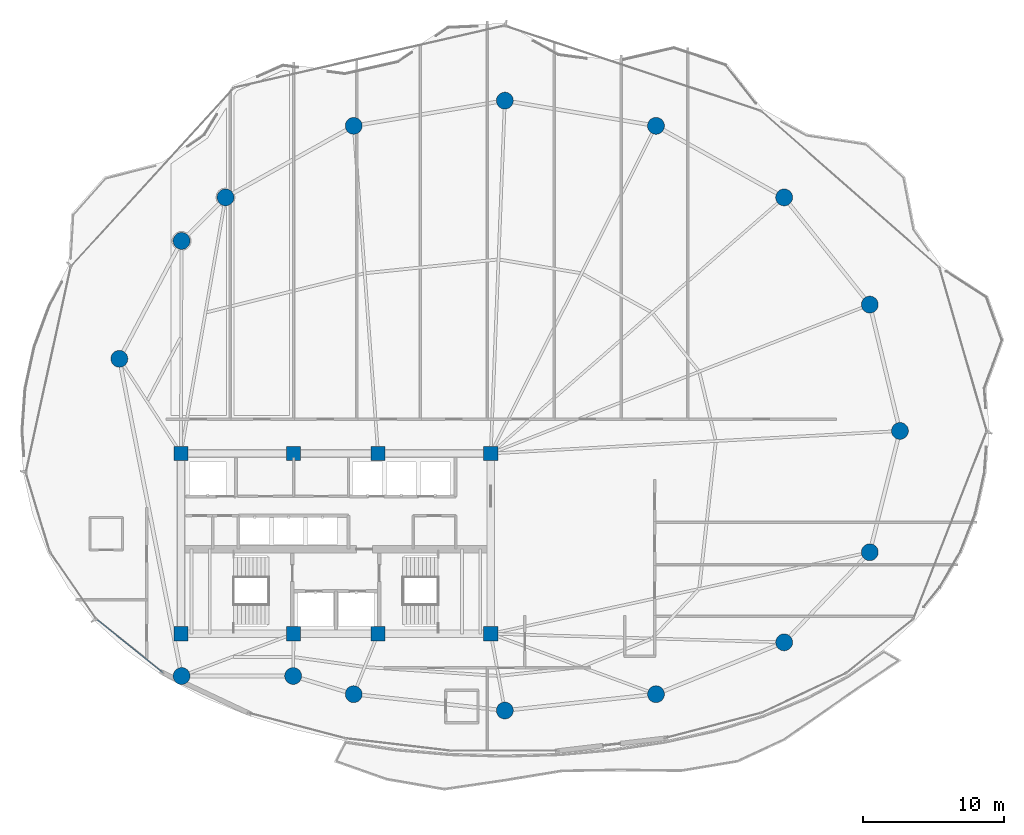
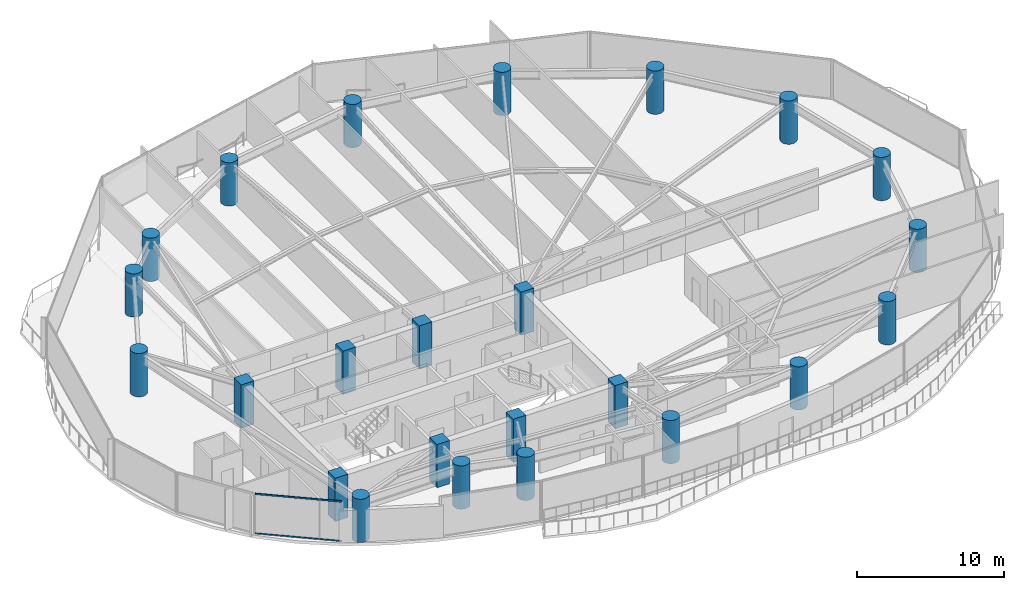
# One storey, part 1 of 34: 24 columns, 2 members, 1 element without a shape of its own.
"""IFC4 building model written with IfcOpenShell, lengths in metres."""

from ifc_helpers import new_model, si_unit, direction, frame, origin, origin_2d, place, context, subcontext, project, spatial, rectangle, hollow_rectangle, circle, extrude, material, layer, layer_set, material_profile, profile_set, type_object, element, aggregate, save


model = new_model("IFC4")

# Units and contexts
model_context = context("Model", 3, precision=1e-05, world=origin(), true_north=direction((0.0, 1.0)))
body_context = subcontext(model_context, "Body", "Model", "MODEL_VIEW")
ifc_project = project(units=[si_unit("LENGTHUNIT", "METRE"), si_unit("AREAUNIT", "SQUARE_METRE"), si_unit("VOLUMEUNIT", "CUBIC_METRE"), si_unit("PLANEANGLEUNIT", "RADIAN"), si_unit("MASSUNIT", "GRAM", prefix="KILO")], contexts=[model_context])

# Site, building, storey
site_placement = place(None, origin())
site = spatial("IfcSite", under=ifc_project, at=site_placement, CompositionType="ELEMENT")
building_placement = place(site_placement, origin())
building = spatial("IfcBuilding", under=site, at=building_placement, Name="Kazevale Care Tower and Concert Hall", CompositionType="ELEMENT")
storey_placement = place(building_placement, frame((0.0, 0.0, 171.0)))
storey = spatial("IfcBuildingStorey", under=building, at=storey_placement, Name="L45", CompositionType="ELEMENT", Elevation=171.0)

# Columns
ifc_material_1 = material(Name="Concrete C60", Category="concrete")
ifc_material_profile_1 = material_profile(ifc_material_1, rectangle(XDim=1.0, YDim=1.0, at=origin_2d()), Name="RC-SQ1000")
ifc_profile_set_1 = profile_set([ifc_material_profile_1], Name="Concrete C60")
column_type_1 = type_object("IfcColumnType", Name="Core Column SQ1000 C60", PredefinedType="COLUMN", material=ifc_profile_set_1)
for number, where, z_axis, x_axis, name in (
    (1, (22.0, 23.60009765625, 0.0), (0.0, 0.0, 1.0), (1.0, 0.0, 0.0), "col:L45:CC-01"),
    (2, (30.0, 23.60009765625, 0.0), (0.0, 0.0, 1.0), (1.0, 0.0, 0.0), "col:L45:CC-02"),
    (3, (36.0, 23.60009765625, 0.0), (0.0, 0.0, 1.0), (1.0, 0.0, 0.0), "col:L45:CC-03"),
    (4, (44.0, 23.60009765625, 0.0), (0.0, 0.0, 1.0), (1.0, 0.0, 0.0), "col:L45:CC-04"),
    (5, (44.0, 36.39990234375, 0.0), (0.0, 0.0, 1.0), (1.0, 0.0, 0.0), "col:L45:CC-05"),
    (6, (36.0, 36.39990234375, 0.0), (0.0, 0.0, 1.0), (1.0, 0.0, 0.0), "col:L45:CC-06"),
    (7, (30.0, 36.39990234375, 0.0), (0.0, 0.0, 1.0), (1.0, 0.0, 0.0), "col:L45:CC-07"),
    (8, (22.0, 36.39990234375, 0.0), (0.0, 0.0, 1.0), (1.0, 0.0, 0.0), "col:L45:CC-08"),
):
    element("IfcColumn", number, at=place(storey_placement, frame(where, z_axis=z_axis, x_axis=x_axis)), inside=storey, type_object=column_type_1, Name=name, PredefinedType="COLUMN", context=body_context, shape_type="SweptSolid", body=[
        extrude(rectangle(XDim=1.0, YDim=1.0, at=origin_2d()), origin(), (0.0, 0.0, 1.0), 3.60009765625),
    ])
ifc_material_profile_2 = material_profile(ifc_material_1, circle(Radius=0.60009765625, at=origin_2d()), Name="RC-CIR1200")
ifc_profile_set_2 = profile_set([ifc_material_profile_2], Name="Concrete C60")
column_type_2 = type_object("IfcColumnType", Name="Perimeter Column CIR1200 C60", PredefinedType="COLUMN", material=ifc_profile_set_2)
for number, where, z_axis, x_axis, name in (
    (9, (73.050048828125, 38.0, 0.0), (0.0, 0.0, 1.0), (1.0, 0.0, 0.0), "col:L45:PC-01"),
    (10, (70.909912109375, 46.969970703125, 0.0), (0.0, 0.0, 1.0), (1.0, 0.0, 0.0), "col:L45:PC-02"),
    (11, (64.830078125, 54.580078125, 0.0), (0.0, 0.0, 1.0), (1.0, 0.0, 0.0), "col:L45:PC-03"),
    (12, (55.72998046875, 59.659912109375, 0.0), (0.0, 0.0, 1.0), (1.0, 0.0, 0.0), "col:L45:PC-04"),
    (13, (45.0, 61.449951171875, 0.0), (0.0, 0.0, 1.0), (1.0, 0.0, 0.0), "col:L45:PC-05"),
    (14, (34.27001953125, 59.659912109375, 0.0), (0.0, 0.0, 1.0), (1.0, 0.0, 0.0), "col:L45:PC-06"),
    (15, (25.169921875, 54.580078125, 0.0), (0.0, 0.0, 1.0), (1.0, 0.0, 0.0), "col:L45:PC-07"),
    (16, (22.050048828125, 51.489990234375, 0.0), (0.0, 0.0, 1.0), (1.0, 0.0, 0.0), "col:L45:PC-08"),
    (17, (17.6298828125, 43.1201171875, 0.0), (0.0, 0.0, 1.0), (1.0, 0.0, 0.0), "col:L45:PC-09"),
    (18, (22.050048828125, 20.60009765625, 0.0), (0.0, 0.0, 1.0), (1.0, 0.0, 0.0), "col:L45:PC-10"),
    (19, (29.969970703125, 20.60009765625, 0.0), (0.0, 0.0, 1.0), (1.0, 0.0, 0.0), "col:L45:PC-11"),
    (20, (34.27001953125, 19.31005859375, 0.0), (0.0, 0.0, 1.0), (1.0, 0.0, 0.0), "col:L45:PC-12"),
    (21, (45.0, 18.14990234375, 0.0), (0.0, 0.0, 1.0), (1.0, 0.0, 0.0), "col:L45:PC-13"),
    (22, (55.72998046875, 19.31005859375, 0.0), (0.0, 0.0, 1.0), (1.0, 0.0, 0.0), "col:L45:PC-14"),
    (23, (64.830078125, 22.989990234375, 0.0), (0.0, 0.0, 1.0), (1.0, 0.0, 0.0), "col:L45:PC-15"),
    (24, (70.909912109375, 29.389892578125, 0.0), (0.0, 0.0, 1.0), (1.0, 0.0, 0.0), "col:L45:PC-16"),
):
    element("IfcColumn", number, at=place(storey_placement, frame(where, z_axis=z_axis, x_axis=x_axis)), inside=storey, type_object=column_type_2, Name=name, PredefinedType="COLUMN", context=body_context, shape_type="SweptSolid", body=[
        extrude(circle(Radius=0.60009765625, at=origin_2d()), origin(), (0.0, 0.0, 1.0), 3.60009765625),
    ])

# Curtain wall, members
ifc_material_2 = material(Name="Aluminium 6063-T6 and Low-E Glass", Category="aluminium")
ifc_layer = layer(ifc_material_2, 0.179931640625)
ifc_layer_set = layer_set([ifc_layer], Name="Aluminium 6063-T6 and Low-E Glass")
curtain_wall_type = type_object("IfcCurtainWallType", Name="Sheltered Concave Balcony Curtain Wall CW-5", PredefinedType="NOTDEFINED", material=ifc_layer_set)
curtain_wall_placement = place(storey_placement, origin())
curtain_wall = element("IfcCurtainWall", 25, at=curtain_wall_placement, inside=storey, type_object=curtain_wall_type, Name="cw:L45:f10", PredefinedType="NOTDEFINED")
ifc_material_3 = material(Name="Aluminium 6063-T6", Category="aluminium")
ifc_material_profile_3 = material_profile(ifc_material_3, hollow_rectangle(XDim=0.074951171875, YDim=0.1201171875, WallThickness=0.00390625, at=origin_2d()), Name="ALU75x120x4")
ifc_profile_set_3 = profile_set([ifc_material_profile_3], Name="Aluminium 6063-T6")
member_type = type_object("IfcMemberType", Name="CW-5 Transom ALU75x120x4", PredefinedType="USERDEFINED", material=ifc_profile_set_3)
member_1_placement = place(storey_placement, frame((20.711669921875, 20.85009765625, 0.03759765625), z_axis=(-0.779097461373, 0.626902819966, 0.0), x_axis=(-0.626902819966, -0.779097461373, 0.0)))
member_1 = element("IfcMember", 26, at=member_1_placement, type_object=member_type, Name="CW-5 transom 1.1", ObjectType="TRANSOM", PredefinedType="USERDEFINED", context=body_context, shape_type="SweptSolid", body=[
    extrude(hollow_rectangle(XDim=0.074951171875, YDim=0.1201171875, WallThickness=0.00390625, at=origin_2d()), origin(), (0.0, 0.0, 1.0), 5.96728515625),
])
member_2_placement = place(storey_placement, frame((20.711669921875, 20.85009765625, 3.322509765625), z_axis=(-0.779097461373, 0.626902819966, 0.0), x_axis=(-0.626902819966, -0.779097461373, 0.0)))
member_2 = element("IfcMember", 27, at=member_2_placement, type_object=member_type, Name="CW-5 transom 1.2", ObjectType="TRANSOM", PredefinedType="USERDEFINED", context=body_context, shape_type="SweptSolid", body=[
    extrude(hollow_rectangle(XDim=0.074951171875, YDim=0.1201171875, WallThickness=0.00390625, at=origin_2d()), origin(), (0.0, 0.0, 1.0), 5.96728515625),
])
aggregate(curtain_wall, [member_1, member_2])

save(model, "model.ifc")
